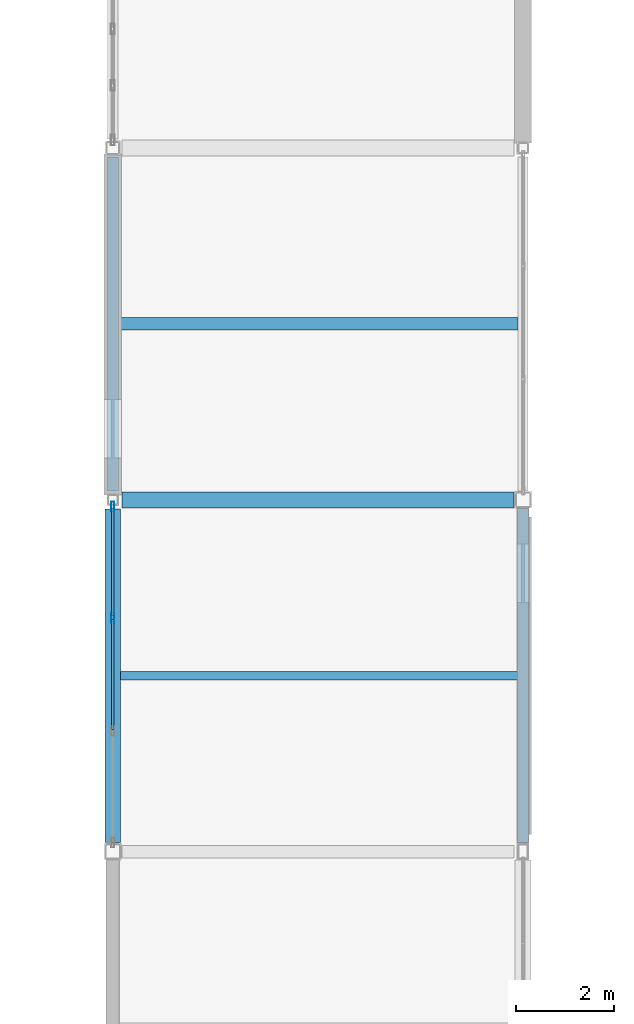
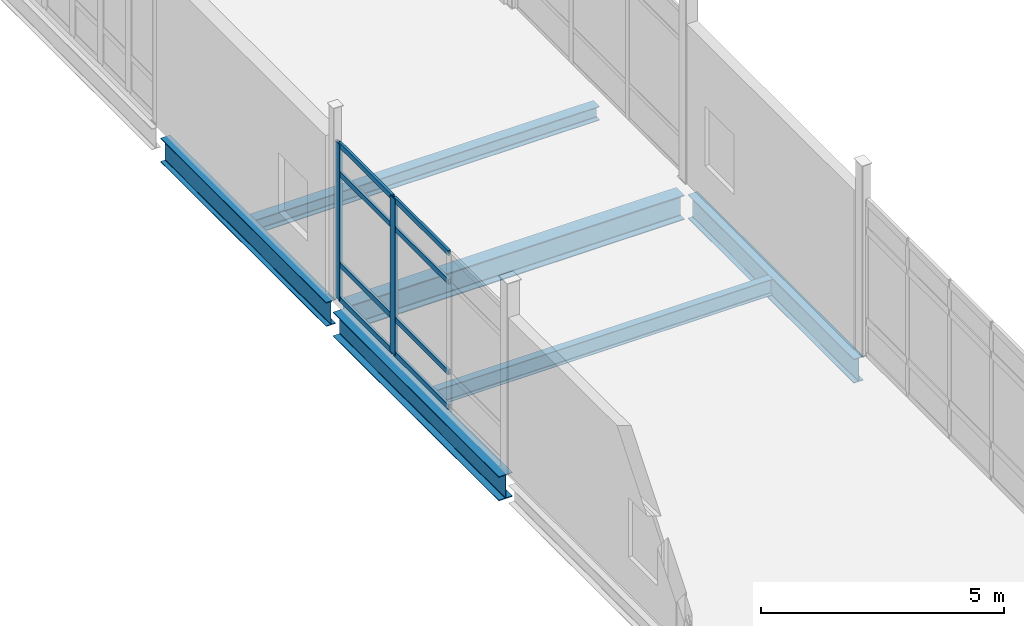
# One storey, part 54 of 153: 10 members, 6 beams, 1 element without a shape of its own.
"""IFC4 building model written with IfcOpenShell, lengths in metres."""

from ifc_helpers import new_model, si_unit, direction, frame, origin, origin_2d, place, context, subcontext, project, spatial, hollow_rectangle, i_section, extrude, material, layer, layer_set, material_profile, profile_set, type_object, element, aggregate, save


model = new_model("IFC4")

# Units and contexts
model_context = context("Model", 3, precision=1e-05, world=origin(), true_north=direction((0.0, 1.0)))
body_context = subcontext(model_context, "Body", "Model", "MODEL_VIEW")
ifc_project = project(units=[si_unit("LENGTHUNIT", "METRE"), si_unit("AREAUNIT", "SQUARE_METRE"), si_unit("VOLUMEUNIT", "CUBIC_METRE"), si_unit("PLANEANGLEUNIT", "RADIAN"), si_unit("MASSUNIT", "GRAM", prefix="KILO")], contexts=[model_context])

# Site, building, storey
site_placement = place(None, origin())
site = spatial("IfcSite", under=ifc_project, at=site_placement, CompositionType="ELEMENT")
building_placement = place(site_placement, origin())
building = spatial("IfcBuilding", under=site, at=building_placement, Name="Calvrana Isthmian Art Gallery", CompositionType="ELEMENT")
storey_placement = place(building_placement, frame((0.0, 0.0, 10.199951171875)))
storey = spatial("IfcBuildingStorey", under=building, at=storey_placement, Name="L02", CompositionType="ELEMENT", Elevation=10.199951171875)

# Beams
ifc_material_1 = material(Name="Steel ASTM A992 Gr 50", Category="steel")
ifc_material_profile_1 = material_profile(ifc_material_1, i_section(OverallWidth=0.324951171875, OverallDepth=0.612060546875, WebThickness=0.0126953125, FlangeThickness=0.01904296875, FilletRadius=0.02197265625, at=origin_2d()), Name="W24X104")
ifc_profile_set_1 = profile_set([ifc_material_profile_1], Name="Steel ASTM A992 Gr 50")
beam_type_1 = type_object("IfcBeamType", Name="BM-G-W24X104", PredefinedType="BEAM", material=ifc_profile_set_1)
beam_1_placement = place(storey_placement, frame((55.199951171875, 76.9814453125, -0.571044921875), z_axis=(0.0, 1.0, 0.0), x_axis=(-1.0, 0.0, 0.0)))
element("IfcBeam", 1, at=beam_1_placement, inside=storey, type_object=beam_type_1, Name="Girder Y L02 08/K-L", PredefinedType="BEAM", context=body_context, shape_type="SweptSolid", body=[
    extrude(i_section(OverallWidth=0.324951171875, OverallDepth=0.612060546875, WebThickness=0.0126953125, FlangeThickness=0.01904296875, FilletRadius=0.02197265625, at=origin_2d()), origin(), (0.0, 0.0, 1.0), 6.83447265625),
])
ifc_material_profile_2 = material_profile(ifc_material_1, i_section(OverallWidth=0.327880859375, OverallDepth=0.6220703125, WebThickness=0.015380859375, FlangeThickness=0.0244140625, FilletRadius=0.02197265625, at=origin_2d()), Name="W24X131")
ifc_profile_set_2 = profile_set([ifc_material_profile_2], Name="Steel ASTM A992 Gr 50")
beam_type_2 = type_object("IfcBeamType", Name="BM-G-W24X131", PredefinedType="BEAM", material=ifc_profile_set_2)
beam_2_placement = place(storey_placement, frame((55.386474609375, 84.0, -0.575927734375), z_axis=(1.0, 0.0, 0.0), x_axis=(0.0, 1.0, 0.0)))
element("IfcBeam", 2, at=beam_2_placement, inside=storey, type_object=beam_type_2, Name="Girder X L02 08-09/L", PredefinedType="BEAM", context=body_context, shape_type="SweptSolid", body=[
    extrude(i_section(OverallWidth=0.327880859375, OverallDepth=0.6220703125, WebThickness=0.015380859375, FlangeThickness=0.0244140625, FilletRadius=0.02197265625, at=origin_2d()), origin(), (0.0, 0.0, 1.0), 8.028076171875),
])
ifc_material_profile_3 = material_profile(ifc_material_1, i_section(OverallWidth=0.22802734375, OverallDepth=0.60693359375, WebThickness=0.01123046875, FlangeThickness=0.017333984375, FilletRadius=0.02197265625, at=origin_2d()), Name="W24X76")
ifc_profile_set_3 = profile_set([ifc_material_profile_3], Name="Steel ASTM A992 Gr 50")
beam_type_3 = type_object("IfcBeamType", Name="BM-G-W24X76", PredefinedType="BEAM", material=ifc_profile_set_3)
beam_3_placement = place(storey_placement, frame((55.199951171875, 84.18408203125, -0.568359375), z_axis=(0.0, 1.0, 0.0), x_axis=(-1.0, 0.0, 0.0)))
element("IfcBeam", 3, at=beam_3_placement, inside=storey, type_object=beam_type_3, Name="Girder Y L02 08/L-M", PredefinedType="BEAM", context=body_context, shape_type="SweptSolid", body=[
    extrude(i_section(OverallWidth=0.22802734375, OverallDepth=0.60693359375, WebThickness=0.01123046875, FlangeThickness=0.017333984375, FilletRadius=0.02197265625, at=origin_2d()), origin(), (0.0, 0.0, 1.0), 6.829345703125),
])
beam_4_placement = place(storey_placement, frame((63.60009765625, 76.97802734375, -0.568359375), z_axis=(0.0, 1.0, 0.0), x_axis=(-1.0, 0.0, 0.0)))
element("IfcBeam", 4, at=beam_4_placement, inside=storey, type_object=beam_type_3, Name="Girder Y L02 09/K-L", PredefinedType="BEAM", context=body_context, shape_type="SweptSolid", body=[
    extrude(i_section(OverallWidth=0.22802734375, OverallDepth=0.60693359375, WebThickness=0.01123046875, FlangeThickness=0.017333984375, FilletRadius=0.02197265625, at=origin_2d()), origin(), (0.0, 0.0, 1.0), 6.840576171875),
])
ifc_material_profile_4 = material_profile(ifc_material_1, i_section(OverallWidth=0.25390625, OverallDepth=0.35302734375, WebThickness=0.009521484375, FlangeThickness=0.016357421875, FilletRadius=0.01806640625, at=origin_2d()), Name="W14X61")
ifc_profile_set_4 = profile_set([ifc_material_profile_4], Name="Steel ASTM A992 Gr 50")
beam_type_4 = type_object("IfcBeamType", Name="BM-J-W14X61", PredefinedType="JOIST", material=ifc_profile_set_4)
beam_5_placement = place(storey_placement, frame((55.31396484375, 87.60009765625, -0.44140625), z_axis=(1.0, 0.0, 0.0), x_axis=(0.0, 1.0, 0.0)))
element("IfcBeam", 5, at=beam_5_placement, inside=storey, type_object=beam_type_4, Name="Composite joist L02 bay 07-11", PredefinedType="JOIST", context=body_context, shape_type="SweptSolid", body=[
    extrude(i_section(OverallWidth=0.25390625, OverallDepth=0.35302734375, WebThickness=0.009521484375, FlangeThickness=0.016357421875, FilletRadius=0.01806640625, at=origin_2d()), origin(), (0.0, 0.0, 1.0), 8.181640625),
])
ifc_material_profile_5 = material_profile(ifc_material_1, i_section(OverallWidth=0.177978515625, OverallDepth=0.404052734375, WebThickness=0.007568359375, FlangeThickness=0.010986328125, FilletRadius=0.01806640625, at=origin_2d()), Name="W16X36")
ifc_profile_set_5 = profile_set([ifc_material_profile_5], Name="Steel ASTM A992 Gr 50")
beam_type_5 = type_object("IfcBeamType", Name="BM-J-W16X36", PredefinedType="JOIST", material=ifc_profile_set_5)
beam_6_placement = place(storey_placement, frame((55.362548828125, 80.39990234375, -0.467041015625), z_axis=(1.0, 0.0, 0.0), x_axis=(0.0, 1.0, 0.0)))
element("IfcBeam", 6, at=beam_6_placement, inside=storey, type_object=beam_type_5, Name="Composite joist L02 bay 07-10", PredefinedType="JOIST", context=body_context, shape_type="SweptSolid", body=[
    extrude(i_section(OverallWidth=0.177978515625, OverallDepth=0.404052734375, WebThickness=0.007568359375, FlangeThickness=0.010986328125, FilletRadius=0.01806640625, at=origin_2d()), origin(), (0.0, 0.0, 1.0), 8.12353515625),
])

# Curtain wall, members
ifc_material_2 = material(Name="Anodized bronze aluminium 6063-T6", Category="aluminium")
ifc_layer = layer(ifc_material_2, 0.179931640625, Name="Anodized bronze aluminium 6063-T6")
ifc_layer_set = layer_set([ifc_layer], Name="Anodized bronze aluminium 6063-T6")
curtain_wall_type = type_object("IfcCurtainWallType", Name="CW-UNIT-069X39", PredefinedType="USERDEFINED", material=ifc_layer_set)
curtain_wall_placement = place(storey_placement, origin())
curtain_wall = element("IfcCurtainWall", 7, at=curtain_wall_placement, inside=storey, type_object=curtain_wall_type, Name="Curtain wall CW-171", ObjectType="UNITISED CURTAIN WALL", PredefinedType="USERDEFINED")
ifc_material_profile_6 = material_profile(ifc_material_2, hollow_rectangle(XDim=0.070068359375, YDim=0.199951171875, WallThickness=0.0048828125, at=origin_2d()), Name="CWM70X200")
ifc_profile_set_6 = profile_set([ifc_material_profile_6], Name="Anodized bronze aluminium 6063-T6")
member_type_1 = type_object("IfcMemberType", Name="CWM-CWM70X200", PredefinedType="MULLION", material=ifc_profile_set_6)
member_1_placement = place(storey_placement, frame((55.199951171875, 81.5830078125, 0.0), z_axis=(0.0, 0.0, 1.0), x_axis=(-1.0, 0.0, 0.0)))
member_1 = element("IfcMember", 8, at=member_1_placement, type_object=member_type_1, Name="CW-171 mullion 3", PredefinedType="MULLION", context=body_context, shape_type="SweptSolid", body=[
    extrude(hollow_rectangle(XDim=0.070068359375, YDim=0.199951171875, WallThickness=0.0048828125, at=origin_2d()), origin(), (0.0, 0.0, 1.0), 3.93310546875),
])
member_2_placement = place(storey_placement, frame((55.199951171875, 83.86328125, 0.0), z_axis=(0.0, 0.0, 1.0), x_axis=(-1.0, 0.0, 0.0)))
member_2 = element("IfcMember", 9, at=member_2_placement, type_object=member_type_1, Name="CW-171 mullion 4", PredefinedType="MULLION", context=body_context, shape_type="SweptSolid", body=[
    extrude(hollow_rectangle(XDim=0.070068359375, YDim=0.199951171875, WallThickness=0.0048828125, at=origin_2d()), origin(), (0.0, 0.0, 1.0), 3.93310546875),
])
ifc_material_profile_7 = material_profile(ifc_material_2, hollow_rectangle(XDim=0.06005859375, YDim=0.1298828125, WallThickness=0.00390625, at=origin_2d()), Name="CWT60X130")
ifc_profile_set_7 = profile_set([ifc_material_profile_7], Name="Anodized bronze aluminium 6063-T6")
member_type_2 = type_object("IfcMemberType", Name="CWT-CWT60X130", PredefinedType="USERDEFINED", material=ifc_profile_set_7)
member_3_placement = place(storey_placement, frame((55.199951171875, 79.302734375, 0.030029296875), z_axis=(0.0, 1.0, 0.0), x_axis=(-1.0, 0.0, 0.0)))
member_3 = element("IfcMember", 10, at=member_3_placement, type_object=member_type_2, Name="CW-171 transom 2.1", ObjectType="TRANSOM", PredefinedType="USERDEFINED", context=body_context, shape_type="SweptSolid", body=[
    extrude(hollow_rectangle(XDim=0.06005859375, YDim=0.1298828125, WallThickness=0.00390625, at=origin_2d()), origin(), (0.0, 0.0, 1.0), 2.245361328125),
])
member_4_placement = place(storey_placement, frame((55.199951171875, 79.302734375, 0.900146484375), z_axis=(0.0, 1.0, 0.0), x_axis=(-1.0, 0.0, 0.0)))
member_4 = element("IfcMember", 11, at=member_4_placement, type_object=member_type_2, Name="CW-171 transom 2.2", ObjectType="TRANSOM", PredefinedType="USERDEFINED", context=body_context, shape_type="SweptSolid", body=[
    extrude(hollow_rectangle(XDim=0.06005859375, YDim=0.1298828125, WallThickness=0.00390625, at=origin_2d()), origin(), (0.0, 0.0, 1.0), 2.245361328125),
])
member_5_placement = place(storey_placement, frame((55.199951171875, 79.302734375, 3.18310546875), z_axis=(0.0, 1.0, 0.0), x_axis=(-1.0, 0.0, 0.0)))
member_5 = element("IfcMember", 12, at=member_5_placement, type_object=member_type_2, Name="CW-171 transom 2.3", ObjectType="TRANSOM", PredefinedType="USERDEFINED", context=body_context, shape_type="SweptSolid", body=[
    extrude(hollow_rectangle(XDim=0.06005859375, YDim=0.1298828125, WallThickness=0.00390625, at=origin_2d()), origin(), (0.0, 0.0, 1.0), 2.245361328125),
])
member_6_placement = place(storey_placement, frame((55.199951171875, 79.302734375, 3.903076171875), z_axis=(0.0, 1.0, 0.0), x_axis=(-1.0, 0.0, 0.0)))
member_6 = element("IfcMember", 13, at=member_6_placement, type_object=member_type_2, Name="CW-171 transom 2.4", ObjectType="TRANSOM", PredefinedType="USERDEFINED", context=body_context, shape_type="SweptSolid", body=[
    extrude(hollow_rectangle(XDim=0.06005859375, YDim=0.1298828125, WallThickness=0.00390625, at=origin_2d()), origin(), (0.0, 0.0, 1.0), 2.245361328125),
])
member_7_placement = place(storey_placement, frame((55.199951171875, 81.6181640625, 0.030029296875), z_axis=(0.0, 1.0, 0.0), x_axis=(-1.0, 0.0, 0.0)))
member_7 = element("IfcMember", 14, at=member_7_placement, type_object=member_type_2, Name="CW-171 transom 3.1", ObjectType="TRANSOM", PredefinedType="USERDEFINED", context=body_context, shape_type="SweptSolid", body=[
    extrude(hollow_rectangle(XDim=0.06005859375, YDim=0.1298828125, WallThickness=0.00390625, at=origin_2d()), origin(), (0.0, 0.0, 1.0), 2.210205078125),
])
member_8_placement = place(storey_placement, frame((55.199951171875, 81.6181640625, 0.900146484375), z_axis=(0.0, 1.0, 0.0), x_axis=(-1.0, 0.0, 0.0)))
member_8 = element("IfcMember", 15, at=member_8_placement, type_object=member_type_2, Name="CW-171 transom 3.2", ObjectType="TRANSOM", PredefinedType="USERDEFINED", context=body_context, shape_type="SweptSolid", body=[
    extrude(hollow_rectangle(XDim=0.06005859375, YDim=0.1298828125, WallThickness=0.00390625, at=origin_2d()), origin(), (0.0, 0.0, 1.0), 2.210205078125),
])
member_9_placement = place(storey_placement, frame((55.199951171875, 81.6181640625, 3.18310546875), z_axis=(0.0, 1.0, 0.0), x_axis=(-1.0, 0.0, 0.0)))
member_9 = element("IfcMember", 16, at=member_9_placement, type_object=member_type_2, Name="CW-171 transom 3.3", ObjectType="TRANSOM", PredefinedType="USERDEFINED", context=body_context, shape_type="SweptSolid", body=[
    extrude(hollow_rectangle(XDim=0.06005859375, YDim=0.1298828125, WallThickness=0.00390625, at=origin_2d()), origin(), (0.0, 0.0, 1.0), 2.210205078125),
])
member_10_placement = place(storey_placement, frame((55.199951171875, 81.6181640625, 3.903076171875), z_axis=(0.0, 1.0, 0.0), x_axis=(-1.0, 0.0, 0.0)))
member_10 = element("IfcMember", 17, at=member_10_placement, type_object=member_type_2, Name="CW-171 transom 3.4", ObjectType="TRANSOM", PredefinedType="USERDEFINED", context=body_context, shape_type="SweptSolid", body=[
    extrude(hollow_rectangle(XDim=0.06005859375, YDim=0.1298828125, WallThickness=0.00390625, at=origin_2d()), origin(), (0.0, 0.0, 1.0), 2.210205078125),
])
aggregate(curtain_wall, [member_1, member_2, member_3, member_4, member_5, member_6, member_7, member_8, member_9, member_10])

save(model, "model.ifc")
